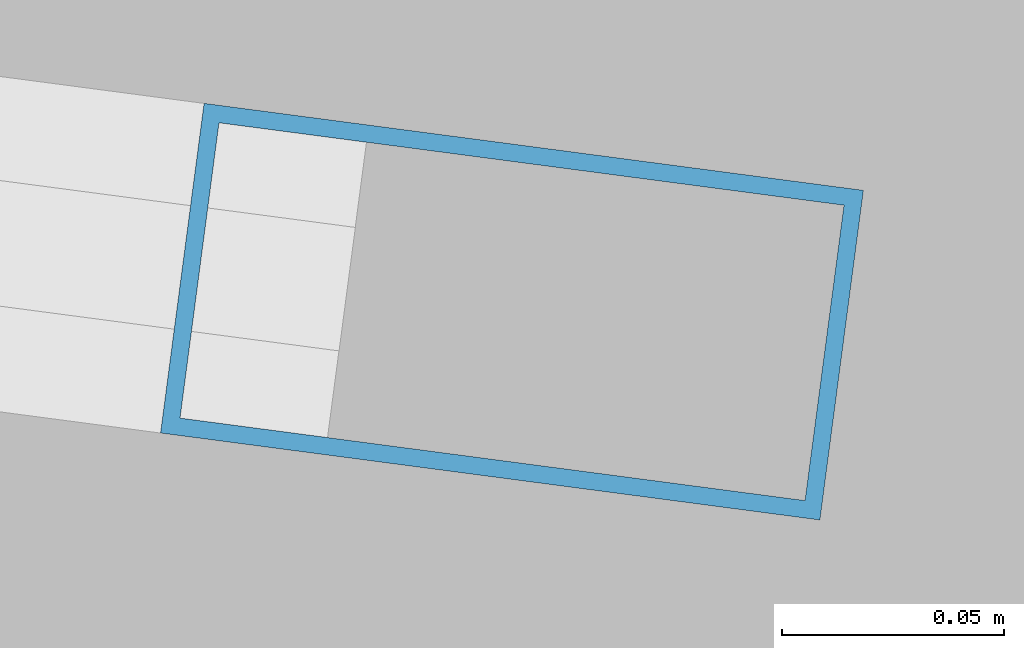
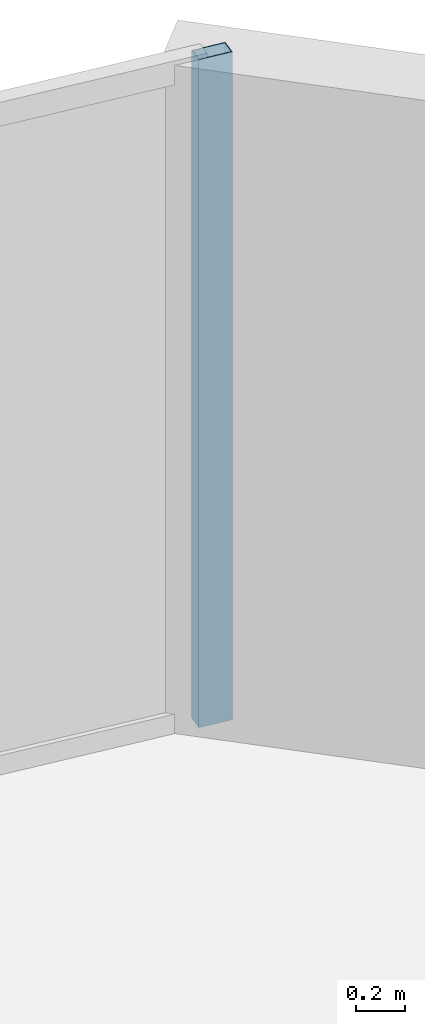
# One storey, part 22 of 31: 1 member, 1 element without a shape of its own.
"""IFC4 building model written with IfcOpenShell, lengths in metres."""

from ifc_helpers import new_model, si_unit, direction, frame, origin, origin_2d, place, context, subcontext, project, spatial, hollow_rectangle, extrude, material, layer, layer_set, material_profile, profile_set, type_object, element, aggregate, save


model = new_model("IFC4")

# Units and contexts
model_context = context("Model", 3, precision=1e-05, world=origin(), true_north=direction((0.0, 1.0)))
body_context = subcontext(model_context, "Body", "Model", "MODEL_VIEW")
ifc_project = project(units=[si_unit("LENGTHUNIT", "METRE"), si_unit("AREAUNIT", "SQUARE_METRE"), si_unit("VOLUMEUNIT", "CUBIC_METRE"), si_unit("PLANEANGLEUNIT", "RADIAN"), si_unit("MASSUNIT", "GRAM", prefix="KILO")], contexts=[model_context])

# Site, building, storey
site_placement = place(None, origin())
site = spatial("IfcSite", under=ifc_project, at=site_placement, CompositionType="ELEMENT")
building_placement = place(site_placement, origin())
building = spatial("IfcBuilding", under=site, at=building_placement, Name="Kazevale Care Tower and Concert Hall", CompositionType="ELEMENT")
storey_placement = place(building_placement, frame((0.0, 0.0, 117.0)))
storey = spatial("IfcBuildingStorey", under=building, at=storey_placement, Name="L30", CompositionType="ELEMENT", Elevation=117.0)

# Curtain wall, member
ifc_material_1 = material(Name="Aluminium 6063-T6 and Low-E Glass", Category="aluminium")
ifc_layer = layer(ifc_material_1, 0.179931640625)
ifc_layer_set = layer_set([ifc_layer], Name="Aluminium 6063-T6 and Low-E Glass")
curtain_wall_type = type_object("IfcCurtainWallType", Name="Convex Recessed Sunroom Curtain Wall CW-3", PredefinedType="NOTDEFINED", material=ifc_layer_set)
curtain_wall_placement = place(storey_placement, origin())
curtain_wall = element("IfcCurtainWall", 1, at=curtain_wall_placement, inside=storey, type_object=curtain_wall_type, Name="cw:L30:f16", PredefinedType="NOTDEFINED")
ifc_material_2 = material(Name="Aluminium 6063-T6", Category="aluminium")
ifc_material_profile = material_profile(ifc_material_2, hollow_rectangle(XDim=0.074951171875, YDim=0.14990234375, WallThickness=0.00390625, at=origin_2d()), Name="ALU75x150x4")
ifc_profile_set = profile_set([ifc_material_profile], Name="Aluminium 6063-T6")
member_type = type_object("IfcMemberType", Name="CW-3 Mullion ALU75x150x4", PredefinedType="MULLION", material=ifc_profile_set)
member_placement = place(storey_placement, frame((61.810791015625, 60.809814453125, 0.0), z_axis=(0.0, 0.0, 1.0), x_axis=(0.130822374277, 0.991405823257, 0.0)))
member = element("IfcMember", 2, at=member_placement, type_object=member_type, Name="CW-3 mullion 2", PredefinedType="MULLION", context=body_context, shape_type="SweptSolid", body=[
    extrude(hollow_rectangle(XDim=0.074951171875, YDim=0.14990234375, WallThickness=0.00390625, at=origin_2d()), origin(), (0.0, 0.0, 1.0), 3.360107421875),
])
aggregate(curtain_wall, [member])

save(model, "model.ifc")
